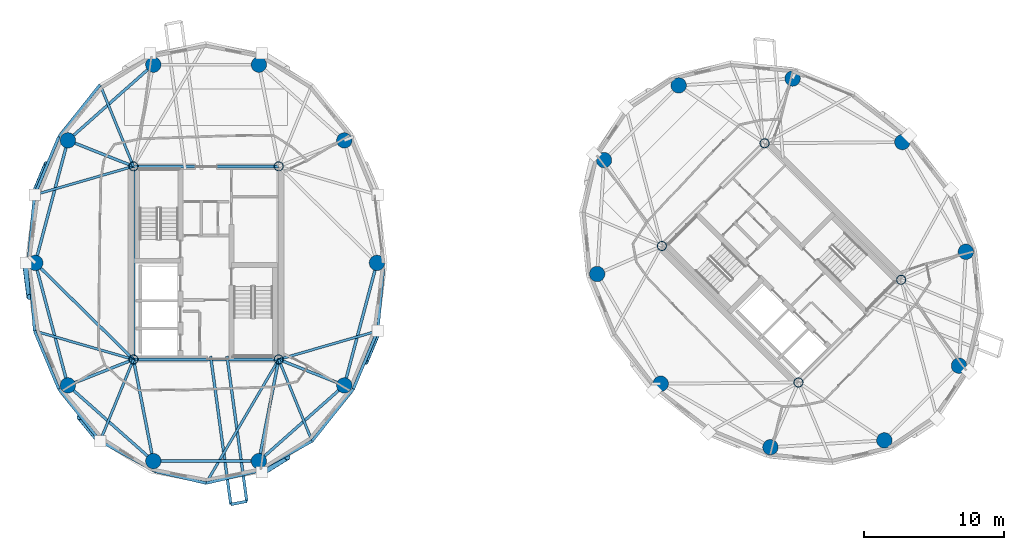
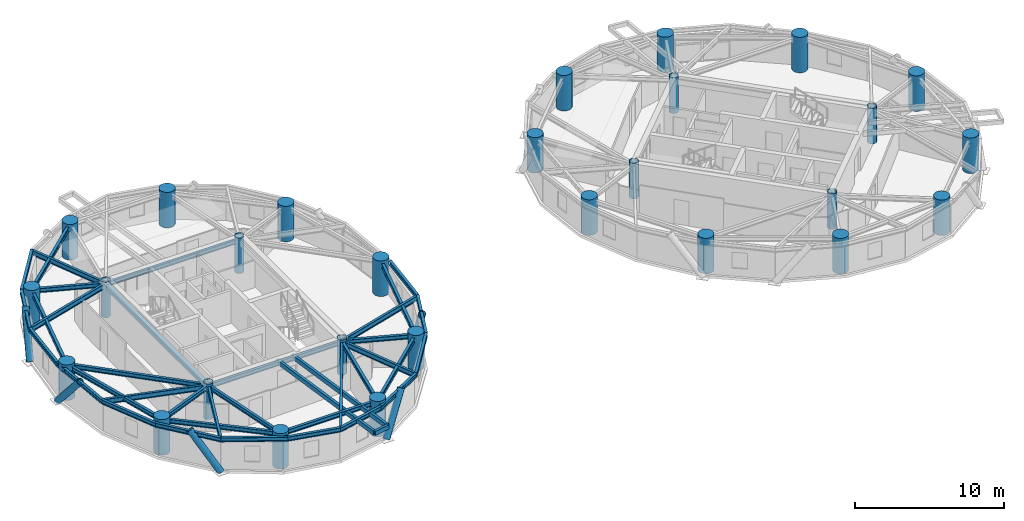
# One storey, part 1 of 14: 39 beams, 28 columns, 5 members.
"""IFC4 building model written with IfcOpenShell, lengths in metres."""

from ifc_helpers import new_model, si_unit, direction, frame, origin, origin_2d, place, context, subcontext, project, spatial, hollow_rectangle, circle, hollow_circle, i_section, extrude, material, material_profile, profile_set, type_object, element, save


model = new_model("IFC4")

# Units and contexts
model_context = context("Model", 3, precision=1e-05, world=origin(), true_north=direction((0.0, 1.0)))
body_context = subcontext(model_context, "Body", "Model", "MODEL_VIEW")
ifc_project = project(units=[si_unit("LENGTHUNIT", "METRE"), si_unit("AREAUNIT", "SQUARE_METRE"), si_unit("VOLUMEUNIT", "CUBIC_METRE"), si_unit("PLANEANGLEUNIT", "RADIAN"), si_unit("MASSUNIT", "GRAM", prefix="KILO")], contexts=[model_context])

# Site, building, storey
site_placement = place(None, origin())
site = spatial("IfcSite", under=ifc_project, at=site_placement, CompositionType="ELEMENT")
building_placement = place(site_placement, origin())
building = spatial("IfcBuilding", under=site, at=building_placement, Name="Cununo Teusaquillo Station Towers", CompositionType="ELEMENT")
storey_placement = place(building_placement, frame((0.0, 0.0, 202.47998046875)))
storey = spatial("IfcBuildingStorey", under=building, at=storey_placement, Name="L64", CompositionType="ELEMENT", Elevation=202.47998046875)

# Columns
ifc_material_1 = material(Name="Steel EN 10025-2 S355J2", Category="steel")
ifc_material_profile_1 = material_profile(ifc_material_1, hollow_circle(Radius=0.330078125, WallThickness=0.02490234375, at=origin_2d()), Name="CHS 660x25")
ifc_profile_set_1 = profile_set([ifc_material_profile_1], Name="Steel EN 10025-2 S355J2")
column_type_1 = type_object("IfcColumnType", Name="COL-CORE-Z3", PredefinedType="COLUMN", material=ifc_profile_set_1)
for number, where, z_axis, x_axis, name in (
    (1, (11.324951171875, 17.6201171875, 0.0), (0.0, 0.0, 1.0), (1.0, 0.0, 0.0), "L64 Tower A Core Column 1"),
    (2, (11.324951171875, 31.3798828125, 0.0), (0.0, 0.0, 1.0), (1.0, 0.0, 0.0), "L64 Tower A Core Column 2"),
    (3, (21.675048828125, 17.6201171875, 0.0), (0.0, 0.0, 1.0), (1.0, 0.0, 0.0), "L64 Tower A Core Column 3"),
    (4, (21.675048828125, 31.3798828125, 0.0), (0.0, 0.0, 1.0), (1.0, 0.0, 0.0), "L64 Tower A Core Column 4"),
    (5, (58.70556640625, 15.975830078125, 0.0), (0.0, 0.0, 1.0), (0.707106781187, 0.707106781187, 0.0), "L64 Tower B Core Column 1"),
    (6, (48.975830078125, 25.70556640625, 0.0), (0.0, 0.0, 1.0), (0.707106781187, 0.707106781187, 0.0), "L64 Tower B Core Column 2"),
    (7, (66.024169921875, 23.29443359375, 0.0), (0.0, 0.0, 1.0), (0.707106781187, 0.707106781187, 0.0), "L64 Tower B Core Column 3"),
    (8, (56.29443359375, 33.024169921875, 0.0), (0.0, 0.0, 1.0), (0.707106781187, 0.707106781187, 0.0), "L64 Tower B Core Column 4"),
):
    element("IfcColumn", number, at=place(storey_placement, frame(where, z_axis=z_axis, x_axis=x_axis)), inside=storey, type_object=column_type_1, Name=name, PredefinedType="COLUMN", context=body_context, shape_type="SweptSolid", body=[
        extrude(hollow_circle(Radius=0.330078125, WallThickness=0.02490234375, at=origin_2d()), origin(), (0.0, 0.0, 1.0), 2.909912109375),
    ])
ifc_material_2 = material(Name="Concrete C50/60", Category="concrete")
ifc_material_profile_2 = material_profile(ifc_material_2, circle(Radius=0.550048828125, at=origin_2d()), Name="RC-CIRC-1100")
ifc_profile_set_2 = profile_set([ifc_material_profile_2], Name="Concrete C50/60")
column_type_2 = type_object("IfcColumnType", Name="COL-MEGA-Z4", PredefinedType="USERDEFINED", material=ifc_profile_set_2)
for number, where, z_axis, x_axis, name in (
    (9, (28.672119140625, 24.5, 0.0), (0.0, 0.0, 1.0), (1.0, 0.0, 0.0), "L64 Tower A Perimeter Column V00"),
    (10, (26.347412109375, 33.228515625, 0.0), (0.0, 0.0, 1.0), (1.0, 0.0, 0.0), "L64 Tower A Perimeter Column V02"),
    (11, (20.261474609375, 38.623291015625, 0.0), (0.0, 0.0, 1.0), (1.0, 0.0, 0.0), "L64 Tower A Perimeter Column V04"),
    (12, (12.738525390625, 38.623291015625, 0.0), (0.0, 0.0, 1.0), (1.0, 0.0, 0.0), "L64 Tower A Perimeter Column V06"),
    (13, (6.652587890625, 33.228515625, 0.0), (0.0, 0.0, 1.0), (1.0, 0.0, 0.0), "L64 Tower A Perimeter Column V08"),
    (14, (4.327880859375, 24.5, 0.0), (0.0, 0.0, 1.0), (1.0, 0.0, 0.0), "L64 Tower A Perimeter Column V10"),
    (15, (6.652587890625, 15.771484375, 0.0), (0.0, 0.0, 1.0), (1.0, 0.0, 0.0), "L64 Tower A Perimeter Column V12"),
    (16, (12.738525390625, 10.376708984375, 0.0), (0.0, 0.0, 1.0), (1.0, 0.0, 0.0), "L64 Tower A Perimeter Column V14"),
    (17, (20.261474609375, 10.376708984375, 0.0), (0.0, 0.0, 1.0), (1.0, 0.0, 0.0), "L64 Tower A Perimeter Column V16"),
    (18, (26.347412109375, 15.771484375, 0.0), (0.0, 0.0, 1.0), (1.0, 0.0, 0.0), "L64 Tower A Perimeter Column V18"),
    (19, (66.10693359375, 33.10693359375, 0.0), (0.0, 0.0, 1.0), (1.0, 0.0, 0.0), "L64 Tower B Perimeter Column V00"),
    (20, (58.291015625, 37.63525390625, 0.0), (0.0, 0.0, 1.0), (1.0, 0.0, 0.0), "L64 Tower B Perimeter Column V02"),
    (21, (50.173095703125, 37.146240234375, 0.0), (0.0, 0.0, 1.0), (1.0, 0.0, 0.0), "L64 Tower B Perimeter Column V04"),
    (22, (44.853759765625, 31.826904296875, 0.0), (0.0, 0.0, 1.0), (1.0, 0.0, 0.0), "L64 Tower B Perimeter Column V06"),
    (23, (44.36474609375, 23.708984375, 0.0), (0.0, 0.0, 1.0), (1.0, 0.0, 0.0), "L64 Tower B Perimeter Column V08"),
    (24, (48.89306640625, 15.89306640625, 0.0), (0.0, 0.0, 1.0), (1.0, 0.0, 0.0), "L64 Tower B Perimeter Column V10"),
    (25, (56.708984375, 11.36474609375, 0.0), (0.0, 0.0, 1.0), (1.0, 0.0, 0.0), "L64 Tower B Perimeter Column V12"),
    (26, (64.826904296875, 11.853759765625, 0.0), (0.0, 0.0, 1.0), (1.0, 0.0, 0.0), "L64 Tower B Perimeter Column V14"),
    (27, (70.146240234375, 17.173095703125, 0.0), (0.0, 0.0, 1.0), (1.0, 0.0, 0.0), "L64 Tower B Perimeter Column V16"),
    (28, (70.63525390625, 25.291015625, 0.0), (0.0, 0.0, 1.0), (1.0, 0.0, 0.0), "L64 Tower B Perimeter Column V18"),
):
    element("IfcColumn", number, at=place(storey_placement, frame(where, z_axis=z_axis, x_axis=x_axis)), inside=storey, type_object=column_type_2, Name=name, ObjectType="MEGA COLUMN", PredefinedType="USERDEFINED", context=body_context, shape_type="SweptSolid", body=[
        extrude(circle(Radius=0.550048828125, at=origin_2d()), origin(), (0.0, 0.0, 1.0), 2.909912109375),
    ])

# Beams
ifc_material_3 = material(Name="Steel EN 10025-2 S355J2", Category="steel")
ifc_material_profile_3 = material_profile(ifc_material_3, hollow_rectangle(XDim=0.199951171875, YDim=0.35009765625, WallThickness=0.013916015625, at=origin_2d()), Name="RHS 350x200x14")
ifc_profile_set_3 = profile_set([ifc_material_profile_3], Name="Steel EN 10025-2 S355J2")
beam_type_1 = type_object("IfcBeamType", Name="BM-BAL-CANT", PredefinedType="BEAM", material=ifc_profile_set_3)
beam_1_placement = place(storey_placement, frame((16.822998046875, 17.85009765625, 2.52490234375), z_axis=(0.135006880627, -0.990844660975, 0.0), x_axis=(0.990844660975, 0.135006880627, 0.0)))
element("IfcBeam", 29, at=beam_1_placement, inside=storey, type_object=beam_type_1, Name="L64 Tower A Balcony Cantilever Bracket 2A", PredefinedType="BEAM", context=body_context, shape_type="SweptSolid", body=[
    extrude(hollow_rectangle(XDim=0.199951171875, YDim=0.35009765625, WallThickness=0.013916015625, at=origin_2d()), origin(), (0.0, 0.0, 1.0), 10.65673828125),
])
beam_2_placement = place(storey_placement, frame((17.9892578125, 17.85009765625, 2.52490234375), z_axis=(0.135018196505, -0.990843119072, 0.0), x_axis=(0.990843119072, 0.135018196505, 0.0)))
element("IfcBeam", 30, at=beam_2_placement, inside=storey, type_object=beam_type_1, Name="L64 Tower A Balcony Cantilever Bracket 2B", PredefinedType="BEAM", context=body_context, shape_type="SweptSolid", body=[
    extrude(hollow_rectangle(XDim=0.199951171875, YDim=0.35009765625, WallThickness=0.013916015625, at=origin_2d()), origin(), (0.0, 0.0, 1.0), 10.43505859375),
])
ifc_material_4 = material(Name="Steel EN 10025-2 S355J2", Category="steel")
ifc_material_profile_4 = material_profile(ifc_material_4, hollow_rectangle(XDim=0.25, YDim=0.449951171875, WallThickness=0.01611328125, at=origin_2d()), Name="RHS 450x250x16")
ifc_profile_set_4 = profile_set([ifc_material_profile_4], Name="Steel EN 10025-2 S355J2")
beam_type_2 = type_object("IfcBeamType", Name="BM-COUP-1", PredefinedType="USERDEFINED", material=ifc_profile_set_4)
beam_3_placement = place(storey_placement, frame((11.324951171875, 17.6201171875, 2.47509765625), z_axis=(0.0, 1.0, 0.0), x_axis=(-1.0, 0.0, 0.0)))
element("IfcBeam", 31, at=beam_3_placement, inside=storey, type_object=beam_type_2, Name="L64 Tower A Core Beam 1", ObjectType="COUPLING BEAM", PredefinedType="USERDEFINED", context=body_context, shape_type="SweptSolid", body=[
    extrude(hollow_rectangle(XDim=0.25, YDim=0.449951171875, WallThickness=0.01611328125, at=origin_2d()), origin(), (0.0, 0.0, 1.0), 13.759765625),
])
ifc_material_5 = material(Name="Steel ASTM A572 Grade 50", Category="steel")
ifc_material_profile_5 = material_profile(ifc_material_5, i_section(OverallWidth=0.180908203125, OverallDepth=0.4169921875, WebThickness=0.010986328125, FlangeThickness=0.018310546875, FilletRadius=0.012939453125, at=origin_2d()), Name="W16X57")
ifc_profile_set_5 = profile_set([ifc_material_profile_5], Name="Steel ASTM A572 Grade 50")
beam_type_3 = type_object("IfcBeamType", Name="BM-JOIST-1", PredefinedType="JOIST", material=ifc_profile_set_5)
beam_4_placement = place(storey_placement, frame((11.324951171875, 31.3798828125, 2.491455078125), z_axis=(-0.378576847217, 0.925569862707, 0.0), x_axis=(-0.925569862707, -0.378576847217, 0.0)))
element("IfcBeam", 32, at=beam_4_placement, inside=storey, type_object=beam_type_3, Name="L64 Tower A Radial Spandrel Joist V07", PredefinedType="JOIST", context=body_context, shape_type="SweptSolid", body=[
    extrude(i_section(OverallWidth=0.180908203125, OverallDepth=0.4169921875, WebThickness=0.010986328125, FlangeThickness=0.018310546875, FilletRadius=0.012939453125, at=origin_2d()), origin(), (0.0, 0.0, 1.0), 6.28125),
])
for number, where, z_axis, x_axis, name in (
    (33, (11.324951171875, 31.3798828125, 2.491455078125), (-0.960861603375, -0.277028841748, 0.0), (0.277028841748, -0.960861603375, 0.0), "L64 Tower A Radial Spandrel Joist V09"),
    (34, (11.324951171875, 17.6201171875, 2.491455078125), (-0.960861603375, 0.277028841748, 0.0), (-0.277028841748, -0.960861603375, 0.0), "L64 Tower A Radial Spandrel Joist V11"),
):
    element("IfcBeam", number, at=place(storey_placement, frame(where, z_axis=z_axis, x_axis=x_axis)), inside=storey, type_object=beam_type_3, Name=name, PredefinedType="JOIST", context=body_context, shape_type="SweptSolid", body=[
        extrude(i_section(OverallWidth=0.180908203125, OverallDepth=0.4169921875, WebThickness=0.010986328125, FlangeThickness=0.018310546875, FilletRadius=0.012939453125, at=origin_2d()), origin(), (0.0, 0.0, 1.0), 7.333251953125),
    ])
beam_5_placement = place(storey_placement, frame((11.324951171875, 17.6201171875, 2.491455078125), z_axis=(-0.378576847217, -0.925569862707, 0.0), x_axis=(0.925569862707, -0.378576847217, 0.0)))
element("IfcBeam", 35, at=beam_5_placement, inside=storey, type_object=beam_type_3, Name="L64 Tower A Radial Spandrel Joist V13", PredefinedType="JOIST", context=body_context, shape_type="SweptSolid", body=[
    extrude(i_section(OverallWidth=0.180908203125, OverallDepth=0.4169921875, WebThickness=0.010986328125, FlangeThickness=0.018310546875, FilletRadius=0.012939453125, at=origin_2d()), origin(), (0.0, 0.0, 1.0), 6.28125),
])
beam_6_placement = place(storey_placement, frame((21.675048828125, 17.6201171875, 2.491455078125), z_axis=(-0.506486432091, -0.862247930765, 0.0), x_axis=(0.862247930765, -0.506486432091, 0.0)))
element("IfcBeam", 36, at=beam_6_placement, inside=storey, type_object=beam_type_3, Name="L64 Tower A Radial Spandrel Joist V15", PredefinedType="JOIST", context=body_context, shape_type="SweptSolid", body=[
    extrude(i_section(OverallWidth=0.180908203125, OverallDepth=0.4169921875, WebThickness=0.010986328125, FlangeThickness=0.018310546875, FilletRadius=0.012939453125, at=origin_2d()), origin(), (0.0, 0.0, 1.0), 10.217529296875),
])
beam_7_placement = place(storey_placement, frame((21.675048828125, 17.6201171875, 2.491455078125), z_axis=(0.378576847217, -0.925569862707, 0.0), x_axis=(0.925569862707, 0.378576847217, 0.0)))
element("IfcBeam", 37, at=beam_7_placement, inside=storey, type_object=beam_type_3, Name="L64 Tower A Radial Spandrel Joist V17", PredefinedType="JOIST", context=body_context, shape_type="SweptSolid", body=[
    extrude(i_section(OverallWidth=0.180908203125, OverallDepth=0.4169921875, WebThickness=0.010986328125, FlangeThickness=0.018310546875, FilletRadius=0.012939453125, at=origin_2d()), origin(), (0.0, 0.0, 1.0), 6.28125),
])
beam_8_placement = place(storey_placement, frame((21.675048828125, 17.6201171875, 2.491455078125), z_axis=(0.960861603375, 0.277028841748, 0.0), x_axis=(-0.277028841748, 0.960861603375, 0.0)))
element("IfcBeam", 38, at=beam_8_placement, inside=storey, type_object=beam_type_3, Name="L64 Tower A Radial Spandrel Joist V19", PredefinedType="JOIST", context=body_context, shape_type="SweptSolid", body=[
    extrude(i_section(OverallWidth=0.180908203125, OverallDepth=0.4169921875, WebThickness=0.010986328125, FlangeThickness=0.018310546875, FilletRadius=0.012939453125, at=origin_2d()), origin(), (0.0, 0.0, 1.0), 7.333251953125),
])
ifc_material_6 = material(Name="Steel ASTM A572 Grade 50", Category="steel")
ifc_material_profile_6 = material_profile(ifc_material_6, i_section(OverallWidth=0.2041015625, OverallDepth=0.35009765625, WebThickness=0.008544921875, FlangeThickness=0.01513671875, FilletRadius=0.011962890625, at=origin_2d()), Name="W14X48")
ifc_profile_set_6 = profile_set([ifc_material_profile_6], Name="Steel ASTM A572 Grade 50")
beam_type_4 = type_object("IfcBeamType", Name="BM-LINTEL-1", PredefinedType="LINTEL", material=ifc_profile_set_6)
for number, where, z_axis, x_axis, name in (
    (39, (11.324951171875, 17.6201171875, 2.52490234375), (1.0, 0.0, 0.0), (0.0, 1.0, 0.0), "L64 Tower A Core Beam 3"),
    (40, (11.324951171875, 31.3798828125, 2.52490234375), (1.0, 0.0, 0.0), (0.0, 1.0, 0.0), "L64 Tower A Core Beam 4"),
):
    element("IfcBeam", number, at=place(storey_placement, frame(where, z_axis=z_axis, x_axis=x_axis)), inside=storey, type_object=beam_type_4, Name=name, PredefinedType="LINTEL", context=body_context, shape_type="SweptSolid", body=[
        extrude(i_section(OverallWidth=0.2041015625, OverallDepth=0.35009765625, WebThickness=0.008544921875, FlangeThickness=0.01513671875, FilletRadius=0.011962890625, at=origin_2d()), origin(), (0.0, 0.0, 1.0), 10.35009765625),
    ])
ifc_material_7 = material(Name="Steel ASTM A572 Grade 50", Category="steel")
ifc_material_profile_7 = material_profile(ifc_material_7, i_section(OverallWidth=0.2041015625, OverallDepth=0.35009765625, WebThickness=0.008544921875, FlangeThickness=0.01513671875, FilletRadius=0.011962890625, at=origin_2d()), Name="W14X48")
ifc_profile_set_7 = profile_set([ifc_material_profile_7], Name="Steel ASTM A572 Grade 50")
beam_type_5 = type_object("IfcBeamType", Name="BM-RAD-G3", PredefinedType="BEAM", material=ifc_profile_set_7)
beam_9_placement = place(storey_placement, frame((11.324951171875, 31.3798828125, 2.52490234375), z_axis=(-0.929851670487, 0.36793460138, 0.0), x_axis=(-0.36793460138, -0.929851670487, 0.0)))
element("IfcBeam", 41, at=beam_9_placement, inside=storey, type_object=beam_type_5, Name="L64 Tower A Continuous Overhanging Radial Girder 05", PredefinedType="BEAM", context=body_context, shape_type="SweptSolid", body=[
    extrude(i_section(OverallWidth=0.2041015625, OverallDepth=0.35009765625, WebThickness=0.008544921875, FlangeThickness=0.01513671875, FilletRadius=0.011962890625, at=origin_2d()), origin(), (0.0, 0.0, 1.0), 5.71630859375),
])
beam_10_placement = place(storey_placement, frame((11.324951171875, 17.6201171875, 2.52490234375), z_axis=(-0.713052701438, 0.701110437073, 0.0), x_axis=(-0.701110437073, -0.713052701438, 0.0)))
element("IfcBeam", 42, at=beam_10_placement, inside=storey, type_object=beam_type_5, Name="L64 Tower A Radial Girder 06A", PredefinedType="BEAM", context=body_context, shape_type="SweptSolid", body=[
    extrude(i_section(OverallWidth=0.2041015625, OverallDepth=0.35009765625, WebThickness=0.008544921875, FlangeThickness=0.01513671875, FilletRadius=0.011962890625, at=origin_2d()), origin(), (0.0, 0.0, 1.0), 9.812744140625),
])
beam_11_placement = place(storey_placement, frame((11.324951171875, 17.6201171875, 2.52490234375), z_axis=(-0.929851670487, -0.36793460138, 0.0), x_axis=(0.36793460138, -0.929851670487, 0.0)))
element("IfcBeam", 43, at=beam_11_placement, inside=storey, type_object=beam_type_5, Name="L64 Tower A Continuous Overhanging Radial Girder 07", PredefinedType="BEAM", context=body_context, shape_type="SweptSolid", body=[
    extrude(i_section(OverallWidth=0.2041015625, OverallDepth=0.35009765625, WebThickness=0.008544921875, FlangeThickness=0.01513671875, FilletRadius=0.011962890625, at=origin_2d()), origin(), (0.0, 0.0, 1.0), 5.71630859375),
])
for number, where, z_axis, x_axis, name in (
    (44, (11.324951171875, 17.6201171875, 2.52490234375), (0.191548487699, -0.981483151593, 0.0), (0.981483151593, 0.191548487699, 0.0), "L64 Tower A Continuous Overhanging Radial Girder 08"),
    (45, (21.675048828125, 17.6201171875, 2.52490234375), (-0.191548487699, -0.981483151593, 0.0), (0.981483151593, -0.191548487699, 0.0), "L64 Tower A Continuous Overhanging Radial Girder 09"),
):
    element("IfcBeam", number, at=place(storey_placement, frame(where, z_axis=z_axis, x_axis=x_axis)), inside=storey, type_object=beam_type_5, Name=name, PredefinedType="BEAM", context=body_context, shape_type="SweptSolid", body=[
        extrude(i_section(OverallWidth=0.2041015625, OverallDepth=0.35009765625, WebThickness=0.008544921875, FlangeThickness=0.01513671875, FilletRadius=0.011962890625, at=origin_2d()), origin(), (0.0, 0.0, 1.0), 8.1240234375),
    ])
beam_12_placement = place(storey_placement, frame((21.675048828125, 17.6201171875, 2.52490234375), z_axis=(0.929851670487, -0.36793460138, 0.0), x_axis=(0.36793460138, 0.929851670487, 0.0)))
element("IfcBeam", 46, at=beam_12_placement, inside=storey, type_object=beam_type_5, Name="L64 Tower A Continuous Overhanging Radial Girder 10", PredefinedType="BEAM", context=body_context, shape_type="SweptSolid", body=[
    extrude(i_section(OverallWidth=0.2041015625, OverallDepth=0.35009765625, WebThickness=0.008544921875, FlangeThickness=0.01513671875, FilletRadius=0.011962890625, at=origin_2d()), origin(), (0.0, 0.0, 1.0), 5.71630859375),
])
ifc_material_8 = material(Name="Steel ASTM A572 Grade 50", Category="steel")
ifc_material_profile_8 = material_profile(ifc_material_8, i_section(OverallWidth=0.2041015625, OverallDepth=0.35009765625, WebThickness=0.008544921875, FlangeThickness=0.01513671875, FilletRadius=0.011962890625, at=origin_2d()), Name="W14X48")
ifc_profile_set_8 = profile_set([ifc_material_profile_8], Name="Steel ASTM A572 Grade 50")
beam_type_6 = type_object("IfcBeamType", Name="BM-RING-Z4", PredefinedType="SPANDREL", material=ifc_profile_set_8)
beam_13_placement = place(storey_placement, frame((12.738525390625, 38.623291015625, 2.52490234375), z_axis=(-0.74832120039, -0.66333655187, 0.0), x_axis=(0.66333655187, -0.74832120039, 0.0)))
element("IfcBeam", 47, at=beam_13_placement, inside=storey, type_object=beam_type_6, Name="L64 Tower A Structural Column Ring Girder 04", PredefinedType="SPANDREL", context=body_context, shape_type="SweptSolid", body=[
    extrude(i_section(OverallWidth=0.2041015625, OverallDepth=0.35009765625, WebThickness=0.008544921875, FlangeThickness=0.01513671875, FilletRadius=0.011962890625, at=origin_2d()), origin(), (0.0, 0.0, 1.0), 8.1328125),
])
for number, where, z_axis, x_axis, name in (
    (48, (6.652587890625, 33.228515625, 2.52490234375), (-0.257363196347, -0.966314744359, 0.0), (0.966314744359, -0.257363196347, 0.0), "L64 Tower A Structural Column Ring Girder 05"),
    (49, (4.327880859375, 24.5, 2.52490234375), (0.257363196347, -0.966314744359, 0.0), (0.966314744359, 0.257363196347, 0.0), "L64 Tower A Structural Column Ring Girder 06"),
):
    element("IfcBeam", number, at=place(storey_placement, frame(where, z_axis=z_axis, x_axis=x_axis)), inside=storey, type_object=beam_type_6, Name=name, PredefinedType="SPANDREL", context=body_context, shape_type="SweptSolid", body=[
        extrude(i_section(OverallWidth=0.2041015625, OverallDepth=0.35009765625, WebThickness=0.008544921875, FlangeThickness=0.01513671875, FilletRadius=0.011962890625, at=origin_2d()), origin(), (0.0, 0.0, 1.0), 9.03271484375),
    ])
beam_14_placement = place(storey_placement, frame((6.652587890625, 15.771484375, 2.52490234375), z_axis=(0.74832120039, -0.66333655187, 0.0), x_axis=(0.66333655187, 0.74832120039, 0.0)))
element("IfcBeam", 50, at=beam_14_placement, inside=storey, type_object=beam_type_6, Name="L64 Tower A Structural Column Ring Girder 07", PredefinedType="SPANDREL", context=body_context, shape_type="SweptSolid", body=[
    extrude(i_section(OverallWidth=0.2041015625, OverallDepth=0.35009765625, WebThickness=0.008544921875, FlangeThickness=0.01513671875, FilletRadius=0.011962890625, at=origin_2d()), origin(), (0.0, 0.0, 1.0), 8.1328125),
])
beam_15_placement = place(storey_placement, frame((12.738525390625, 10.376708984375, 2.52490234375), z_axis=(1.0, 0.0, 0.0), x_axis=(0.0, 1.0, 0.0)))
element("IfcBeam", 51, at=beam_15_placement, inside=storey, type_object=beam_type_6, Name="L64 Tower A Structural Column Ring Girder 08", PredefinedType="SPANDREL", context=body_context, shape_type="SweptSolid", body=[
    extrude(i_section(OverallWidth=0.2041015625, OverallDepth=0.35009765625, WebThickness=0.008544921875, FlangeThickness=0.01513671875, FilletRadius=0.011962890625, at=origin_2d()), origin(), (0.0, 0.0, 1.0), 7.52294921875),
])
beam_16_placement = place(storey_placement, frame((20.261474609375, 10.376708984375, 2.52490234375), z_axis=(0.74832120039, 0.66333655187, 0.0), x_axis=(-0.66333655187, 0.74832120039, 0.0)))
element("IfcBeam", 52, at=beam_16_placement, inside=storey, type_object=beam_type_6, Name="L64 Tower A Structural Column Ring Girder 09", PredefinedType="SPANDREL", context=body_context, shape_type="SweptSolid", body=[
    extrude(i_section(OverallWidth=0.2041015625, OverallDepth=0.35009765625, WebThickness=0.008544921875, FlangeThickness=0.01513671875, FilletRadius=0.011962890625, at=origin_2d()), origin(), (0.0, 0.0, 1.0), 8.1328125),
])
beam_17_placement = place(storey_placement, frame((26.347412109375, 15.771484375, 2.52490234375), z_axis=(0.257363196347, 0.966314744359, 0.0), x_axis=(-0.966314744359, 0.257363196347, 0.0)))
element("IfcBeam", 53, at=beam_17_placement, inside=storey, type_object=beam_type_6, Name="L64 Tower A Structural Column Ring Girder 10", PredefinedType="SPANDREL", context=body_context, shape_type="SweptSolid", body=[
    extrude(i_section(OverallWidth=0.2041015625, OverallDepth=0.35009765625, WebThickness=0.008544921875, FlangeThickness=0.01513671875, FilletRadius=0.011962890625, at=origin_2d()), origin(), (0.0, 0.0, 1.0), 9.03271484375),
])
beam_18_placement = place(storey_placement, frame((8.947021484375, 37.193603515625, 2.52490234375), z_axis=(-0.620710872531, -0.784039547932, 0.0), x_axis=(0.784039547932, -0.620710872531, 0.0)))
element("IfcBeam", 54, at=beam_18_placement, inside=storey, type_object=beam_type_6, Name="L64 Tower A Spandrel Ring Beam 08", PredefinedType="SPANDREL", context=body_context, shape_type="SweptSolid", body=[
    extrude(i_section(OverallWidth=0.2041015625, OverallDepth=0.35009765625, WebThickness=0.008544921875, FlangeThickness=0.01513671875, FilletRadius=0.011962890625, at=origin_2d()), origin(), (0.0, 0.0, 1.0), 4.732421875),
])
beam_19_placement = place(storey_placement, frame((6.009521484375, 33.483154296875, 2.52490234375), z_axis=(-0.386115454066, -0.922450462698, 0.0), x_axis=(0.922450462698, -0.386115454066, 0.0)))
element("IfcBeam", 55, at=beam_19_placement, inside=storey, type_object=beam_type_6, Name="L64 Tower A Spandrel Ring Beam 09", PredefinedType="SPANDREL", context=body_context, shape_type="SweptSolid", body=[
    extrude(i_section(OverallWidth=0.2041015625, OverallDepth=0.35009765625, WebThickness=0.008544921875, FlangeThickness=0.01513671875, FilletRadius=0.011962890625, at=origin_2d()), origin(), (0.0, 0.0, 1.0), 4.482421875),
])
beam_20_placement = place(storey_placement, frame((4.27880859375, 29.348388671875, 2.52490234375), z_axis=(-0.093902932611, -0.995581357422, 0.0), x_axis=(0.995581357422, -0.093902932611, 0.0)))
element("IfcBeam", 56, at=beam_20_placement, inside=storey, type_object=beam_type_6, Name="L64 Tower A Spandrel Ring Beam 10", PredefinedType="SPANDREL", context=body_context, shape_type="SweptSolid", body=[
    extrude(i_section(OverallWidth=0.2041015625, OverallDepth=0.35009765625, WebThickness=0.008544921875, FlangeThickness=0.01513671875, FilletRadius=0.011962890625, at=origin_2d()), origin(), (0.0, 0.0, 1.0), 4.412109375),
])
beam_21_placement = place(storey_placement, frame((3.864501953125, 24.955810546875, 2.52490234375), z_axis=(0.077871988965, -0.996963366095, 0.0), x_axis=(0.996963366095, 0.077871988965, 0.0)))
element("IfcBeam", 57, at=beam_21_placement, inside=storey, type_object=beam_type_6, Name="L64 Tower A Spandrel Ring Beam 11", PredefinedType="SPANDREL", context=body_context, shape_type="SweptSolid", body=[
    extrude(i_section(OverallWidth=0.2041015625, OverallDepth=0.35009765625, WebThickness=0.008544921875, FlangeThickness=0.01513671875, FilletRadius=0.011962890625, at=origin_2d()), origin(), (0.0, 0.0, 1.0), 5.3203125),
])
beam_22_placement = place(storey_placement, frame((4.27880859375, 19.651611328125, 2.52490234375), z_axis=(0.386115454066, -0.922450462698, 0.0), x_axis=(0.922450462698, 0.386115454066, 0.0)))
element("IfcBeam", 58, at=beam_22_placement, inside=storey, type_object=beam_type_6, Name="L64 Tower A Spandrel Ring Beam 12", PredefinedType="SPANDREL", context=body_context, shape_type="SweptSolid", body=[
    extrude(i_section(OverallWidth=0.2041015625, OverallDepth=0.35009765625, WebThickness=0.008544921875, FlangeThickness=0.01513671875, FilletRadius=0.011962890625, at=origin_2d()), origin(), (0.0, 0.0, 1.0), 4.482421875),
])
beam_23_placement = place(storey_placement, frame((6.009521484375, 15.516845703125, 2.52490234375), z_axis=(0.620710872531, -0.784039547932, 0.0), x_axis=(0.784039547932, 0.620710872531, 0.0)))
element("IfcBeam", 59, at=beam_23_placement, inside=storey, type_object=beam_type_6, Name="L64 Tower A Spandrel Ring Beam 13", PredefinedType="SPANDREL", context=body_context, shape_type="SweptSolid", body=[
    extrude(i_section(OverallWidth=0.2041015625, OverallDepth=0.35009765625, WebThickness=0.008544921875, FlangeThickness=0.01513671875, FilletRadius=0.011962890625, at=origin_2d()), origin(), (0.0, 0.0, 1.0), 4.732421875),
])
beam_24_placement = place(storey_placement, frame((8.947021484375, 11.806396484375, 2.52490234375), z_axis=(0.876576300909, -0.481262910149, 0.0), x_axis=(0.481262910149, 0.876576300909, 0.0)))
element("IfcBeam", 60, at=beam_24_placement, inside=storey, type_object=beam_type_6, Name="L64 Tower A Spandrel Ring Beam 14", PredefinedType="SPANDREL", context=body_context, shape_type="SweptSolid", body=[
    extrude(i_section(OverallWidth=0.2041015625, OverallDepth=0.35009765625, WebThickness=0.008544921875, FlangeThickness=0.01513671875, FilletRadius=0.011962890625, at=origin_2d()), origin(), (0.0, 0.0, 1.0), 4.488037109375),
])
for number, where, z_axis, x_axis, name in (
    (61, (12.881103515625, 9.646484375, 2.52490234375), (0.97431470066, -0.225190728224, 0.0), (0.225190728224, 0.97431470066, 0.0), "L64 Tower A Spandrel Ring Beam 15"),
    (62, (16.5, 8.81005859375, 2.52490234375), (0.97431470066, 0.225190728224, 0.0), (-0.225190728224, 0.97431470066, 0.0), "L64 Tower A Spandrel Ring Beam 16"),
):
    element("IfcBeam", number, at=place(storey_placement, frame(where, z_axis=z_axis, x_axis=x_axis)), inside=storey, type_object=beam_type_6, Name=name, PredefinedType="SPANDREL", context=body_context, shape_type="SweptSolid", body=[
        extrude(i_section(OverallWidth=0.2041015625, OverallDepth=0.35009765625, WebThickness=0.008544921875, FlangeThickness=0.01513671875, FilletRadius=0.011962890625, at=origin_2d()), origin(), (0.0, 0.0, 1.0), 3.71435546875),
    ])
beam_25_placement = place(storey_placement, frame((20.118896484375, 9.646484375, 2.52490234375), z_axis=(0.876576300909, 0.481262910149, 0.0), x_axis=(-0.481262910149, 0.876576300909, 0.0)))
element("IfcBeam", 63, at=beam_25_placement, inside=storey, type_object=beam_type_6, Name="L64 Tower A Spandrel Ring Beam 17", PredefinedType="SPANDREL", context=body_context, shape_type="SweptSolid", body=[
    extrude(i_section(OverallWidth=0.2041015625, OverallDepth=0.35009765625, WebThickness=0.008544921875, FlangeThickness=0.01513671875, FilletRadius=0.011962890625, at=origin_2d()), origin(), (0.0, 0.0, 1.0), 4.488037109375),
])
beam_26_placement = place(storey_placement, frame((24.052978515625, 11.806396484375, 2.52490234375), z_axis=(0.620710872531, 0.784039547932, 0.0), x_axis=(-0.784039547932, 0.620710872531, 0.0)))
element("IfcBeam", 64, at=beam_26_placement, inside=storey, type_object=beam_type_6, Name="L64 Tower A Spandrel Ring Beam 18", PredefinedType="SPANDREL", context=body_context, shape_type="SweptSolid", body=[
    extrude(i_section(OverallWidth=0.2041015625, OverallDepth=0.35009765625, WebThickness=0.008544921875, FlangeThickness=0.01513671875, FilletRadius=0.011962890625, at=origin_2d()), origin(), (0.0, 0.0, 1.0), 4.732421875),
])
beam_27_placement = place(storey_placement, frame((26.990478515625, 15.516845703125, 2.52490234375), z_axis=(0.386115454066, 0.922450462698, 0.0), x_axis=(-0.922450462698, 0.386115454066, 0.0)))
element("IfcBeam", 65, at=beam_27_placement, inside=storey, type_object=beam_type_6, Name="L64 Tower A Spandrel Ring Beam 19", PredefinedType="SPANDREL", context=body_context, shape_type="SweptSolid", body=[
    extrude(i_section(OverallWidth=0.2041015625, OverallDepth=0.35009765625, WebThickness=0.008544921875, FlangeThickness=0.01513671875, FilletRadius=0.011962890625, at=origin_2d()), origin(), (0.0, 0.0, 1.0), 4.482421875),
])
beam_28_placement = place(storey_placement, frame((28.72119140625, 19.651611328125, 2.52490234375), z_axis=(0.093902932611, 0.995581357422, 0.0), x_axis=(-0.995581357422, 0.093902932611, 0.0)))
element("IfcBeam", 66, at=beam_28_placement, inside=storey, type_object=beam_type_6, Name="L64 Tower A Spandrel Ring Beam 20", PredefinedType="SPANDREL", context=body_context, shape_type="SweptSolid", body=[
    extrude(i_section(OverallWidth=0.2041015625, OverallDepth=0.35009765625, WebThickness=0.008544921875, FlangeThickness=0.01513671875, FilletRadius=0.011962890625, at=origin_2d()), origin(), (0.0, 0.0, 1.0), 4.412109375),
])
ifc_material_9 = material(Name="Steel EN 10025-2 S355J2", Category="steel")
ifc_material_profile_9 = material_profile(ifc_material_9, hollow_rectangle(XDim=0.199951171875, YDim=0.35009765625, WallThickness=0.013916015625, at=origin_2d()), Name="RHS 350x200x14")
ifc_profile_set_9 = profile_set([ifc_material_profile_9], Name="Steel EN 10025-2 S355J2")
beam_type_7 = type_object("IfcBeamType", Name="BM-STAIR-TRIM", PredefinedType="BEAM", material=ifc_profile_set_9)
beam_29_placement = place(storey_placement, frame((18.26171875, 7.291015625, 2.52490234375), z_axis=(0.981857200028, 0.189621830897, 0.0), x_axis=(-0.189621830897, 0.981857200028, 0.0)))
element("IfcBeam", 67, at=beam_29_placement, inside=storey, type_object=beam_type_7, Name="L64 Tower A Balcony Edge Trimmer Beam 2", PredefinedType="BEAM", context=body_context, shape_type="SweptSolid", body=[
    extrude(hollow_rectangle(XDim=0.199951171875, YDim=0.35009765625, WallThickness=0.013916015625, at=origin_2d()), origin(), (0.0, 0.0, 1.0), 1.157470703125),
])

# Members
ifc_material_10 = material(Name="Steel EN 10025-2 S355J2", Category="steel")
ifc_material_profile_10 = material_profile(ifc_material_10, hollow_circle(Radius=0.25390625, WallThickness=0.01806640625, at=origin_2d()), Name="CHS 508x18")
ifc_profile_set_10 = profile_set([ifc_material_profile_10], Name="Steel EN 10025-2 S355J2")
member_type = type_object("IfcMemberType", Name="MBR-DIAG-Z4", PredefinedType="BRACE", material=ifc_profile_set_10)
member_1_placement = place(storey_placement, frame((4.27880859375, 29.348388671875, -0.139892578125), z_axis=(0.243178360097, 0.58276932845, 0.77539937774), x_axis=(-0.922875628603, 0.385098135713, 0.0)))
element("IfcMember", 68, at=member_1_placement, inside=storey, type_object=member_type, Name="L64 Tower A Folded-Zigzag Diagrid Tube C08", PredefinedType="BRACE", context=body_context, shape_type="SweptSolid", body=[
    extrude(hollow_circle(Radius=0.25390625, WallThickness=0.01806640625, at=origin_2d()), origin(), (0.0, 0.0, 1.0), 3.752685546875),
])
member_2_placement = place(storey_placement, frame((3.64990234375, 24.5, -0.139892578125), z_axis=(0.082803794412, -0.637891139268, 0.765662083477), x_axis=(0.991679857004, 0.128728634006, 0.0)))
element("IfcMember", 69, at=member_2_placement, inside=storey, type_object=member_type, Name="L64 Tower A Folded-Zigzag Diagrid Tube C10", PredefinedType="BRACE", context=body_context, shape_type="SweptSolid", body=[
    extrude(hollow_circle(Radius=0.25390625, WallThickness=0.01806640625, at=origin_2d()), origin(), (0.0, 0.0, 1.0), 3.800537109375),
])
member_3_placement = place(storey_placement, frame((8.947021484375, 11.806396484375, -0.139892578125), z_axis=(-0.386905797136, 0.472353307889, 0.791950918094), x_axis=(-0.773608092629, -0.633664358331, 0.0)))
element("IfcMember", 70, at=member_3_placement, inside=storey, type_object=member_type, Name="L64 Tower A Folded-Zigzag Diagrid Tube C12", PredefinedType="BRACE", context=body_context, shape_type="SweptSolid", body=[
    extrude(hollow_circle(Radius=0.25390625, WallThickness=0.01806640625, at=origin_2d()), origin(), (0.0, 0.0, 1.0), 3.67431640625),
])
member_4_placement = place(storey_placement, frame((20.470947265625, 9.577880859375, -0.139892578125), z_axis=(0.498333742466, 0.310032061152, 0.809656471708), x_axis=(-0.528249968439, 0.849088906325, 0.0)))
element("IfcMember", 71, at=member_4_placement, inside=storey, type_object=member_type, Name="L64 Tower A Folded-Zigzag Diagrid Tube C16", PredefinedType="BRACE", context=body_context, shape_type="SweptSolid", body=[
    extrude(hollow_circle(Radius=0.25390625, WallThickness=0.01806640625, at=origin_2d()), origin(), (0.0, 0.0, 1.0), 3.593994140625),
])
member_5_placement = place(storey_placement, frame((28.72119140625, 19.651611328125, -0.139892578125), z_axis=(-0.243178360097, -0.58276932845, 0.77539937774), x_axis=(0.922875628603, -0.385098135713, 0.0)))
element("IfcMember", 72, at=member_5_placement, inside=storey, type_object=member_type, Name="L64 Tower A Folded-Zigzag Diagrid Tube C18", PredefinedType="BRACE", context=body_context, shape_type="SweptSolid", body=[
    extrude(hollow_circle(Radius=0.25390625, WallThickness=0.01806640625, at=origin_2d()), origin(), (0.0, 0.0, 1.0), 3.752685546875),
])

save(model, "model.ifc")
